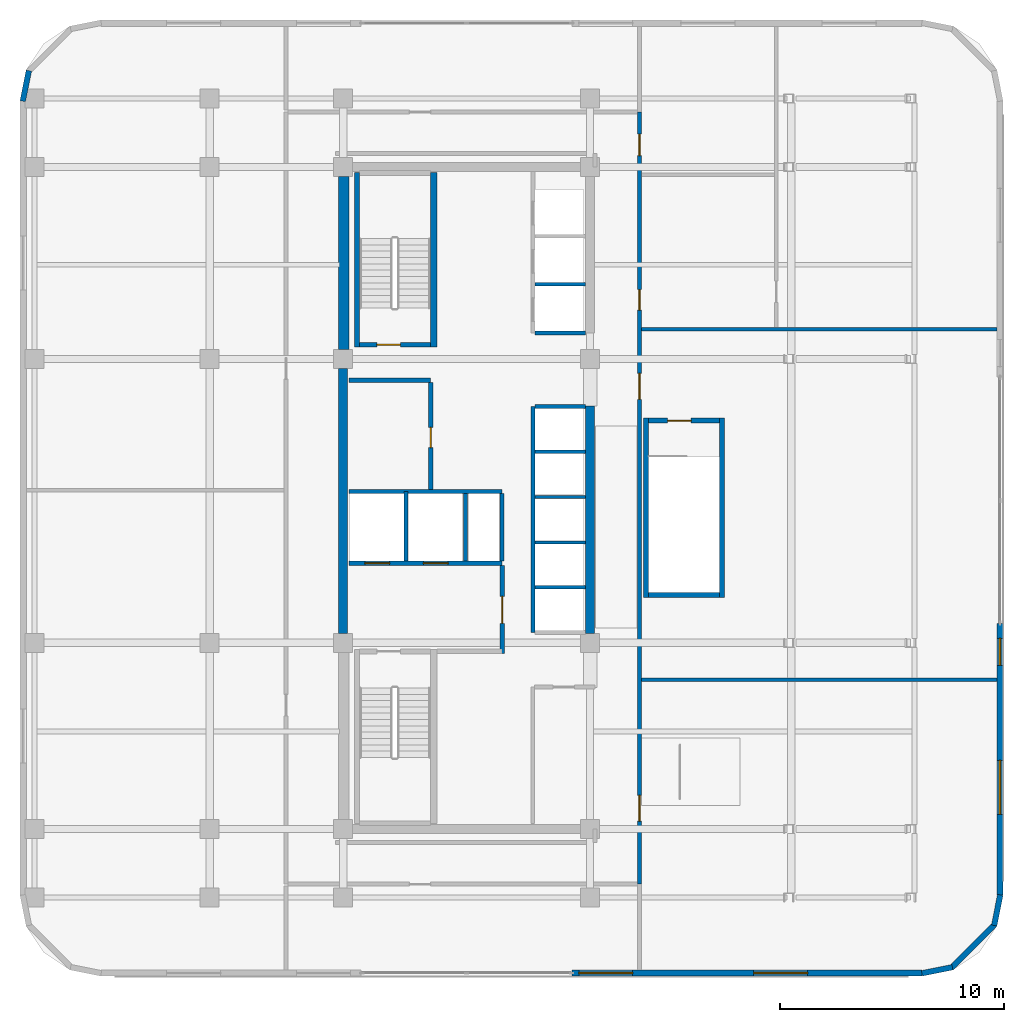
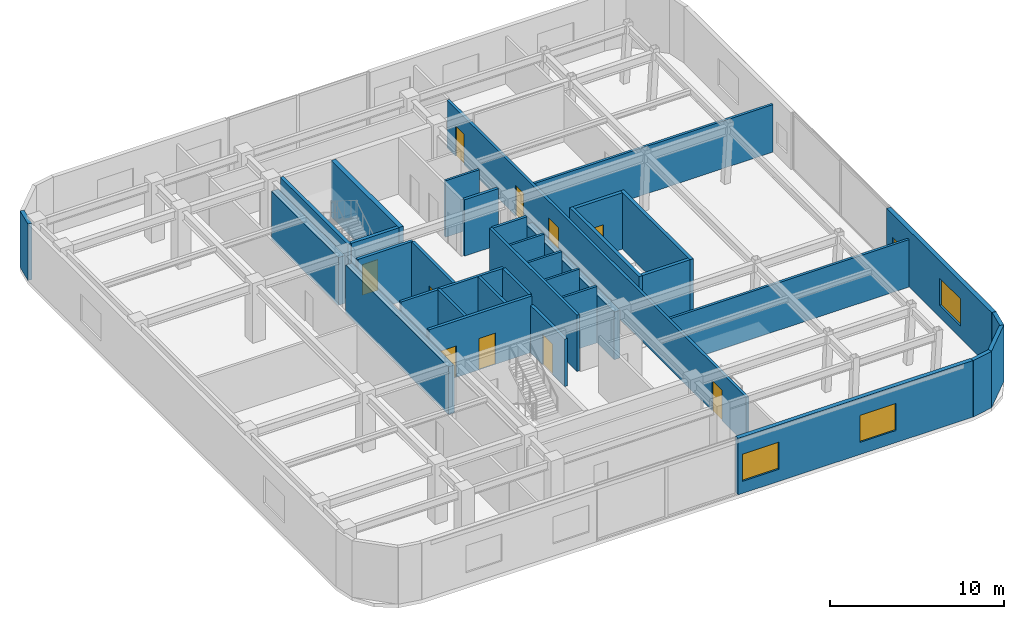
# One storey, part 7 of 12: 35 walls, 10 doors, 4 windows, 14 openings.
"""IFC4 building model written with IfcOpenShell, lengths in metres."""

from ifc_helpers import new_model, si_unit, direction, frame, frame_2d, origin, place, context, subcontext, project, spatial, rectangle, extrude, material, layer, layer_set, type_object, element, fill, save


model = new_model("IFC4")

# Units and contexts
model_context = context("Model", 3, precision=1e-05, world=origin(), true_north=direction((0.0, 1.0)))
body_context = subcontext(model_context, "Body", "Model", "MODEL_VIEW")
ifc_project = project(units=[si_unit("LENGTHUNIT", "METRE"), si_unit("AREAUNIT", "SQUARE_METRE"), si_unit("VOLUMEUNIT", "CUBIC_METRE"), si_unit("PLANEANGLEUNIT", "RADIAN"), si_unit("MASSUNIT", "GRAM", prefix="KILO")], contexts=[model_context])

# Site, building, storey
site_placement = place(None, origin())
site = spatial("IfcSite", under=ifc_project, at=site_placement, CompositionType="ELEMENT")
building_placement = place(site_placement, origin())
building = spatial("IfcBuilding", under=site, at=building_placement, Name="Ochreholt Gables", CompositionType="ELEMENT")
storey_placement = place(building_placement, frame((0.0, 0.0, 117.0)))
storey = spatial("IfcBuildingStorey", under=building, at=storey_placement, Name="L30", CompositionType="ELEMENT", Elevation=117.0)

# Walls
ifc_material_1 = material(Name="Concrete 60 MPa", Category="concrete")
ifc_layer_1 = layer(ifc_material_1, 0.39990234375, Name="Concrete 60 MPa")
ifc_layer_set_1 = layer_set([ifc_layer_1], Name="Concrete 60 MPa")
wall_type_1 = type_object("IfcWallType", Name="WALL-CSW-400", PredefinedType="SHEAR", material=ifc_layer_set_1)
wall_1_placement = place(storey_placement, frame((24.199951171875, 17.97509765625, 0.0), z_axis=(0.0, 0.0, 1.0), x_axis=(0.0, 1.0, 0.0)))
element("IfcWall", 1, at=wall_1_placement, inside=storey, type_object=wall_type_1, Name="L30 Core West Shear Wall WM", PredefinedType="SHEAR", context=body_context, shape_type="SweptSolid", body=[
    extrude(rectangle(XDim=11.7998046875, YDim=0.39990234375, at=frame_2d((5.89990234375, 0.0))), origin(), (0.0, 0.0, 1.0), 3.34912109375),
])
wall_2_placement = place(storey_placement, frame((35.199951171875, 17.97509765625, 0.0), z_axis=(0.0, 0.0, 1.0), x_axis=(0.0, 1.0, 0.0)))
element("IfcWall", 2, at=wall_2_placement, inside=storey, type_object=wall_type_1, Name="L30 Core Central-East Shear Wall", PredefinedType="SHEAR", context=body_context, shape_type="SweptSolid", body=[
    extrude(rectangle(XDim=10.125, YDim=0.39990234375, at=frame_2d((5.0625, 0.0))), origin(), (0.0, 0.0, 1.0), 3.34912109375),
])
ifc_layer_2 = layer(ifc_material_1, 0.449951171875, Name="Concrete 60 MPa")
ifc_layer_set_2 = layer_set([ifc_layer_2], Name="Concrete 60 MPa")
wall_type_2 = type_object("IfcWallType", Name="WALL-CSW-450", PredefinedType="SHEAR", material=ifc_layer_set_2)
wall_3_placement = place(storey_placement, frame((24.22509765625, 30.625, 0.0), z_axis=(0.0, 0.0, 1.0), x_axis=(0.0, 1.0, 0.0)))
element("IfcWall", 3, at=wall_3_placement, inside=storey, type_object=wall_type_2, Name="L30 Core West Shear Wall WN", PredefinedType="SHEAR", context=body_context, shape_type="SweptSolid", body=[
    extrude(rectangle(XDim=7.699951171875, YDim=0.449951171875, at=frame_2d((3.85009765625, 0.0))), origin(), (0.0, 0.0, 1.0), 3.34912109375),
])

# Wall, openings, windows
ifc_material_2 = material(Name="Precast concrete 40 MPa", Category="concrete")
ifc_layer_3 = layer(ifc_material_2, 0.280029296875, Name="Precast concrete 40 MPa")
ifc_layer_set_3 = layer_set([ifc_layer_3], Name="Precast concrete 40 MPa")
wall_type_3 = type_object("IfcWallType", Name="WALL-EXT-280", PredefinedType="SOLIDWALL", material=ifc_layer_set_3)
wall_4_placement = place(storey_placement, frame((34.39990234375, 2.840087890625, 0.0), z_axis=(0.0, 0.0, 1.0), x_axis=(1.0, 0.0, 0.0)))
wall_4 = element("IfcWall", 4, at=wall_4_placement, inside=storey, type_object=wall_type_3, Name="L30 South Facade Wall 2", PredefinedType="SOLIDWALL", context=body_context, shape_type="SweptSolid", body=[
    extrude(rectangle(XDim=15.580078125, YDim=0.280029296875, at=frame_2d((7.7900390625, 0.0))), origin(), (0.0, 0.0, 1.0), 3.9599609375),
])
opening_1_placement = place(wall_4_placement, frame((0.300048828125, 0.0, 0.85009765625)))
opening_1 = element("IfcOpeningElement", 5, at=opening_1_placement, cuts=wall_4, Name="Opening WN-5", PredefinedType="OPENING", context=body_context, shape_type="SweptSolid", body=[
    extrude(rectangle(XDim=2.39990234375, YDim=1.89990234375, at=frame_2d((1.199951171875, 0.949951171875))), frame((0.0, 0.14990234375, 0.0), z_axis=(0.0, -1.0, 0.0), x_axis=(1.0, 0.0, 0.0)), (0.0, 0.0, 1.0), 0.300048828125),
])
opening_2_placement = place(wall_4_placement, frame((8.090087890625, 0.0, 0.85009765625)))
opening_2 = element("IfcOpeningElement", 6, at=opening_2_placement, cuts=wall_4, Name="Opening WN-5", PredefinedType="OPENING", context=body_context, shape_type="SweptSolid", body=[
    extrude(rectangle(XDim=2.39990234375, YDim=1.89990234375, at=frame_2d((1.199951171875, 0.949951171875))), frame((0.0, 0.14990234375, 0.0), z_axis=(0.0, -1.0, 0.0), x_axis=(1.0, 0.0, 0.0)), (0.0, 0.0, 1.0), 0.300048828125),
])
ifc_material_3 = material(Name="Triple-Glazed Thermally Broken Aluminium Window", Category="aluminium")
window_type_1 = type_object("IfcWindowType", Name="WIN-COM-2400", PartitioningType="SINGLE_PANEL", PredefinedType="WINDOW", material=ifc_material_3)
window_1_placement = place(opening_1_placement, origin())
window_1 = element("IfcWindow", 7, at=window_1_placement, inside=storey, type_object=window_type_1, Name="L30 Window W-EXT-S2-L30-1", OverallHeight=1.89990234375, OverallWidth=2.39990234375, PartitioningType="SINGLE_PANEL", PredefinedType="WINDOW", context=body_context, shape_type="SweptSolid", body=[
    extrude(rectangle(XDim=2.39990234375, YDim=1.89990234375, at=frame_2d((1.199951171875, 0.949951171875))), frame((0.0, 0.030029296875, 0.0), z_axis=(0.0, -1.0, 0.0), x_axis=(1.0, 0.0, 0.0)), (0.0, 0.0, 1.0), 0.06005859375),
])
fill(opening_1, window_1)
window_2_placement = place(opening_2_placement, origin())
window_2 = element("IfcWindow", 8, at=window_2_placement, inside=storey, type_object=window_type_1, Name="L30 Window W-EXT-S2-L30-2", OverallHeight=1.89990234375, OverallWidth=2.39990234375, PartitioningType="SINGLE_PANEL", PredefinedType="WINDOW", context=body_context, shape_type="SweptSolid", body=[
    extrude(rectangle(XDim=2.39990234375, YDim=1.89990234375, at=frame_2d((1.199951171875, 0.949951171875))), frame((0.0, 0.030029296875, 0.0), z_axis=(0.0, -1.0, 0.0), x_axis=(1.0, 0.0, 0.0)), (0.0, 0.0, 1.0), 0.06005859375),
])
fill(opening_2, window_2)

wall_5_placement = place(storey_placement, frame((53.4599609375, 6.320068359375, 0.0), z_axis=(0.0, 0.0, 1.0), x_axis=(0.0, 1.0, 0.0)))
wall_5 = element("IfcWall", 9, at=wall_5_placement, inside=storey, type_object=wall_type_3, Name="L30 East Facade Wall 1", PredefinedType="SOLIDWALL", context=body_context, shape_type="SweptSolid", body=[
    extrude(rectangle(XDim=12.079833984375, YDim=0.280029296875, at=frame_2d((6.0400390625, 0.0))), origin(), (0.0, 0.0, 1.0), 3.9599609375),
])
opening_3_placement = place(wall_5_placement, frame((3.590087890625, 0.0, 0.85009765625)))
opening_3 = element("IfcOpeningElement", 10, at=opening_3_placement, cuts=wall_5, Name="Opening WN-5", PredefinedType="OPENING", context=body_context, shape_type="SweptSolid", body=[
    extrude(rectangle(XDim=2.39990234375, YDim=1.89990234375, at=frame_2d((1.199951171875, 0.949951171875))), frame((0.0, 0.14990234375, 0.0), z_axis=(0.0, -1.0, 0.0), x_axis=(1.0, 0.0, 0.0)), (0.0, 0.0, 1.0), 0.300048828125),
])
opening_4_placement = place(wall_5_placement, frame((10.22998046875, 0.0, 0.85009765625)))
opening_4 = element("IfcOpeningElement", 11, at=opening_4_placement, cuts=wall_5, Name="Opening WN-3", PredefinedType="OPENING", context=body_context, shape_type="SweptSolid", body=[
    extrude(rectangle(XDim=1.199951171875, YDim=1.5, at=frame_2d((0.60009765625, 0.75))), frame((0.0, 0.14990234375, 0.0), z_axis=(0.0, -1.0, 0.0), x_axis=(1.0, 0.0, 0.0)), (0.0, 0.0, 1.0), 0.300048828125),
])
window_3_placement = place(opening_3_placement, origin())
window_3 = element("IfcWindow", 12, at=window_3_placement, inside=storey, type_object=window_type_1, Name="L30 Window W-EXT-E1-L30-1", OverallHeight=1.89990234375, OverallWidth=2.39990234375, PartitioningType="SINGLE_PANEL", PredefinedType="WINDOW", context=body_context, shape_type="SweptSolid", body=[
    extrude(rectangle(XDim=2.39990234375, YDim=1.89990234375, at=frame_2d((1.199951171875, 0.949951171875))), frame((0.0, 0.030029296875, 0.0), z_axis=(0.0, -1.0, 0.0), x_axis=(1.0, 0.0, 0.0)), (0.0, 0.0, 1.0), 0.06005859375),
])
fill(opening_3, window_3)
window_type_2 = type_object("IfcWindowType", Name="WIN-RES-1200", PartitioningType="SINGLE_PANEL", PredefinedType="WINDOW", material=ifc_material_3)
window_4_placement = place(opening_4_placement, origin())
window_4 = element("IfcWindow", 13, at=window_4_placement, inside=storey, type_object=window_type_2, Name="L30 Window W-EXT-E1-L30-2", OverallHeight=1.5, OverallWidth=1.199951171875, PartitioningType="SINGLE_PANEL", PredefinedType="WINDOW", context=body_context, shape_type="SweptSolid", body=[
    extrude(rectangle(XDim=1.199951171875, YDim=1.5, at=frame_2d((0.60009765625, 0.75))), frame((0.0, 0.030029296875, 0.0), z_axis=(0.0, -1.0, 0.0), x_axis=(1.0, 0.0, 0.0)), (0.0, 0.0, 1.0), 0.06005859375),
])
fill(opening_4, window_4)

# Walls
ifc_layer_4 = layer(ifc_material_2, 0.25, Name="Precast concrete 40 MPa")
ifc_layer_set_4 = layer_set([ifc_layer_4], Name="Precast concrete 40 MPa")
wall_type_4 = type_object("IfcWallType", Name="WALL-EXT-CNR", PredefinedType="SOLIDWALL", material=ifc_layer_set_4)
wall_6_placement = place(storey_placement, frame((49.9833984375, 2.82421875, 0.0), z_axis=(0.0, 0.0, 1.0), x_axis=(0.980809899341, 0.19496651342, 0.0)))
element("IfcWall", 14, at=wall_6_placement, inside=storey, type_object=wall_type_4, Name="L30 Rounded Corner Wall SE-1", PredefinedType="SOLIDWALL", context=body_context, shape_type="SweptSolid", body=[
    extrude(rectangle(XDim=1.388671875, YDim=0.25, at=frame_2d((0.6943359375, 0.0))), origin(), (0.0, 0.0, 1.0), 3.9599609375),
])
wall_7_placement = place(storey_placement, frame((51.294921875, 3.068115234375, 0.0), z_axis=(0.0, 0.0, 1.0), x_axis=(0.707151344399, 0.707062215165, 0.0)))
element("IfcWall", 15, at=wall_7_placement, inside=storey, type_object=wall_type_4, Name="L30 Rounded Corner Wall SE-2", PredefinedType="SOLIDWALL", context=body_context, shape_type="SweptSolid", body=[
    extrude(rectangle(XDim=2.7392578125, YDim=0.25, at=frame_2d((1.36962890625, 0.0))), origin(), (0.0, 0.0, 1.0), 3.9599609375),
])
for number, where, z_axis, x_axis, name in (
    (16, (53.205078125, 4.95458984375, 0.0), (0.0, 0.0, 1.0), (0.195000137217, 0.980803214965, 0.0), "L30 Rounded Corner Wall SE-3"),
    (17, (10.195068359375, 43.04541015625, 0.0), (0.0, 0.0, 1.0), (-0.195000137217, -0.980803214965, 0.0), "L30 Rounded Corner Wall NW-3"),
):
    element("IfcWall", number, at=place(storey_placement, frame(where, z_axis=z_axis, x_axis=x_axis)), inside=storey, type_object=wall_type_4, Name=name, PredefinedType="SOLIDWALL", context=body_context, shape_type="SweptSolid", body=[
        extrude(rectangle(XDim=1.388427734375, YDim=0.25, at=frame_2d((0.6943359375, 0.0))), origin(), (0.0, 0.0, 1.0), 3.9599609375),
    ])

# Wall, openings, doors
ifc_material_4 = material(Name="Concrete 40 MPa", Category="concrete")
ifc_layer_5 = layer(ifc_material_4, 0.199951171875, Name="Concrete 40 MPa")
ifc_layer_set_5 = layer_set([ifc_layer_5], Name="Concrete 40 MPa")
wall_type_5 = type_object("IfcWallType", Name="WALL-INT-CF200", PredefinedType="STANDARD", material=ifc_layer_set_5)
wall_8_placement = place(storey_placement, frame((24.449951171875, 21.090087890625, 0.0), z_axis=(0.0, 0.0, 1.0), x_axis=(1.0, 0.0, 0.0)))
wall_8 = element("IfcWall", 18, at=wall_8_placement, inside=storey, type_object=wall_type_5, Name="L30 Interior Wall WI-FFN-L30", PredefinedType="STANDARD", context=body_context, shape_type="SweptSolid", body=[
    extrude(rectangle(XDim=6.830078125, YDim=0.199951171875, at=frame_2d((3.4150390625, 0.0))), origin(), (0.0, 0.0, 1.0), 3.9599609375),
])
opening_5_placement = place(wall_8_placement, frame((0.719970703125, 0.0, 0.0)))
opening_5 = element("IfcOpeningElement", 19, at=opening_5_placement, cuts=wall_8, Name="Opening LD-FF", PredefinedType="OPENING", context=body_context, shape_type="SweptSolid", body=[
    extrude(rectangle(XDim=1.10009765625, YDim=2.199951171875, at=frame_2d((0.550048828125, 1.10009765625))), frame((0.0, 0.10986328125, 0.0), z_axis=(0.0, -1.0, 0.0), x_axis=(1.0, 0.0, 0.0)), (0.0, 0.0, 1.0), 0.219970703125),
])
opening_6_placement = place(wall_8_placement, frame((3.320068359375, 0.0, 0.0)))
opening_6 = element("IfcOpeningElement", 20, at=opening_6_placement, cuts=wall_8, Name="Opening LD-FF", PredefinedType="OPENING", context=body_context, shape_type="SweptSolid", body=[
    extrude(rectangle(XDim=1.10009765625, YDim=2.199951171875, at=frame_2d((0.550048828125, 1.10009765625))), frame((0.0, 0.10986328125, 0.0), z_axis=(0.0, -1.0, 0.0), x_axis=(1.0, 0.0, 0.0)), (0.0, 0.0, 1.0), 0.219970703125),
])
ifc_material_5 = material(Name="Stainless Steel", Category="steel")
door_type_1 = type_object("IfcDoorType", Name="DR-LFT-FF1100", OperationType="NOTDEFINED", PredefinedType="DOOR", material=ifc_material_5)
door_1_placement = place(opening_5_placement, origin())
door_1 = element("IfcDoor", 21, at=door_1_placement, inside=storey, type_object=door_type_1, Name="L30 Door LD-FF1-L30", OperationType="SLIDING_TO_LEFT", OverallHeight=2.199951171875, OverallWidth=1.10009765625, PredefinedType="DOOR", context=body_context, shape_type="SweptSolid", body=[
    extrude(rectangle(XDim=1.10009765625, YDim=2.199951171875, at=frame_2d((0.550048828125, 1.10009765625))), frame((0.0, 0.02490234375, 0.0), z_axis=(0.0, -1.0, 0.0), x_axis=(1.0, 0.0, 0.0)), (0.0, 0.0, 1.0), 0.050048828125),
])
fill(opening_5, door_1)
door_2_placement = place(opening_6_placement, origin())
door_2 = element("IfcDoor", 22, at=door_2_placement, inside=storey, type_object=door_type_1, Name="L30 Door LD-FF2-L30", OperationType="SLIDING_TO_LEFT", OverallHeight=2.199951171875, OverallWidth=1.10009765625, PredefinedType="DOOR", context=body_context, shape_type="SweptSolid", body=[
    extrude(rectangle(XDim=1.10009765625, YDim=2.199951171875, at=frame_2d((0.550048828125, 1.10009765625))), frame((0.0, 0.02490234375, 0.0), z_axis=(0.0, -1.0, 0.0), x_axis=(1.0, 0.0, 0.0)), (0.0, 0.0, 1.0), 0.050048828125),
])
fill(opening_6, door_2)

# Wall, opening, door
wall_9_placement = place(storey_placement, frame((31.280029296875, 17.070068359375, 0.0), z_axis=(0.0, 0.0, 1.0), x_axis=(0.0, 1.0, 0.0)))
wall_9 = element("IfcWall", 23, at=wall_9_placement, inside=storey, type_object=wall_type_5, Name="L30 Interior Wall WI-FFE-L30", PredefinedType="STANDARD", context=body_context, shape_type="SweptSolid", body=[
    extrude(rectangle(XDim=3.919921875, YDim=0.199951171875, at=frame_2d((1.9599609375, 0.0))), origin(), (0.0, 0.0, 1.0), 3.3310546875),
])
opening_7_placement = place(wall_9_placement, frame((1.35009765625, 0.0, 0.0)))
opening_7 = element("IfcOpeningElement", 24, at=opening_7_placement, cuts=wall_9, Name="Opening D-FFL", PredefinedType="OPENING", context=body_context, shape_type="SweptSolid", body=[
    extrude(rectangle(XDim=1.199951171875, YDim=2.14990234375, at=frame_2d((0.60009765625, 1.074951171875))), frame((0.0, 0.10986328125, 0.0), z_axis=(0.0, -1.0, 0.0), x_axis=(1.0, 0.0, 0.0)), (0.0, 0.0, 1.0), 0.219970703125),
])
ifc_material_6 = material(Name="Hollow Metal Steel", Category="steel")
door_type_2 = type_object("IfcDoorType", Name="DR-INT-FFL1200", OperationType="NOTDEFINED", PredefinedType="DOOR", material=ifc_material_6)
door_3_placement = place(opening_7_placement, origin())
door_3 = element("IfcDoor", 25, at=door_3_placement, inside=storey, type_object=door_type_2, Name="L30 Door D-FFL-L30", OperationType="SINGLE_SWING_LEFT", OverallHeight=2.14990234375, OverallWidth=1.199951171875, PredefinedType="DOOR", context=body_context, shape_type="SweptSolid", body=[
    extrude(rectangle(XDim=1.199951171875, YDim=2.14990234375, at=frame_2d((0.60009765625, 1.074951171875))), frame((0.0, 0.02490234375, 0.0), z_axis=(0.0, -1.0, 0.0), x_axis=(1.0, 0.0, 0.0)), (0.0, 0.0, 1.0), 0.050048828125),
])
fill(opening_7, door_3)

# Wall
wall_10_placement = place(storey_placement, frame((24.449951171875, 29.239990234375, 0.0), z_axis=(0.0, 0.0, 1.0), x_axis=(1.0, 0.0, 0.0)))
element("IfcWall", 26, at=wall_10_placement, inside=storey, type_object=wall_type_5, Name="L30 Interior Wall WI-SRVN-L30", PredefinedType="STANDARD", context=body_context, shape_type="SweptSolid", body=[
    extrude(rectangle(XDim=3.650146484375, YDim=0.199951171875, at=frame_2d((1.8251953125, 0.0))), origin(), (0.0, 0.0, 1.0), 3.9599609375),
])

# Wall, opening, door
wall_11_placement = place(storey_placement, frame((28.10009765625, 24.389892578125, 0.0), z_axis=(0.0, 0.0, 1.0), x_axis=(0.0, 1.0, 0.0)))
wall_11 = element("IfcWall", 27, at=wall_11_placement, inside=storey, type_object=wall_type_5, Name="L30 Interior Wall WI-SRVE-L30", PredefinedType="STANDARD", context=body_context, shape_type="SweptSolid", body=[
    extrude(rectangle(XDim=4.75, YDim=0.199951171875, at=frame_2d((2.375, 0.0))), origin(), (0.0, 0.0, 1.0), 3.9599609375),
])
opening_8_placement = place(wall_11_placement, frame((1.860107421875, 0.0, 0.0)))
opening_8 = element("IfcOpeningElement", 28, at=opening_8_placement, cuts=wall_11, Name="Opening D-SV1", PredefinedType="OPENING", context=body_context, shape_type="SweptSolid", body=[
    extrude(rectangle(XDim=0.89990234375, YDim=2.10009765625, at=frame_2d((0.449951171875, 1.050048828125))), frame((0.0, 0.10986328125, 0.0), z_axis=(0.0, -1.0, 0.0), x_axis=(1.0, 0.0, 0.0)), (0.0, 0.0, 1.0), 0.219970703125),
])
door_type_3 = type_object("IfcDoorType", Name="DR-INT-SRV900", OperationType="NOTDEFINED", PredefinedType="DOOR", material=ifc_material_6)
door_4_placement = place(opening_8_placement, origin())
door_4 = element("IfcDoor", 29, at=door_4_placement, inside=storey, type_object=door_type_3, Name="L30 Door D-SRV1-L30", OperationType="SINGLE_SWING_LEFT", OverallHeight=2.10009765625, OverallWidth=0.89990234375, PredefinedType="DOOR", context=body_context, shape_type="SweptSolid", body=[
    extrude(rectangle(XDim=0.89990234375, YDim=2.10009765625, at=frame_2d((0.449951171875, 1.050048828125))), frame((0.0, 0.02490234375, 0.0), z_axis=(0.0, -1.0, 0.0), x_axis=(1.0, 0.0, 0.0)), (0.0, 0.0, 1.0), 0.050048828125),
])
fill(opening_8, door_4)

# Wall, openings, doors
ifc_material_7 = material(Name="Fire-Rated Gypsum Acoustic Partition", Category="gypsum")
ifc_layer_6 = layer(ifc_material_7, 0.179931640625, Name="Fire-Rated Gypsum Acoustic Partition")
ifc_layer_set_6 = layer_set([ifc_layer_6], Name="Fire-Rated Gypsum Acoustic Partition")
wall_type_6 = type_object("IfcWallType", Name="WALL-INT-CR180", PredefinedType="STANDARD", material=ifc_layer_set_6)
wall_12_placement = place(storey_placement, frame((37.39990234375, 6.800048828125, 0.0), z_axis=(0.0, 0.0, 1.0), x_axis=(0.0, 1.0, 0.0)))
wall_12 = element("IfcWall", 30, at=wall_12_placement, inside=storey, type_object=wall_type_6, Name="L30 Interior Wall WI-CMCE-L30", PredefinedType="STANDARD", context=body_context, shape_type="SweptSolid", body=[
    extrude(rectangle(XDim=34.39990234375, YDim=0.179931640625, at=frame_2d((17.199951171875, 0.0))), origin(), (0.0, 0.0, 1.0), 3.3310546875),
])
opening_9_placement = place(wall_12_placement, frame((25.570068359375, 0.0, 0.0)))
opening_9 = element("IfcOpeningElement", 31, at=opening_9_placement, cuts=wall_12, Name="Opening D-WC1", PredefinedType="OPENING", context=body_context, shape_type="SweptSolid", body=[
    extrude(rectangle(XDim=0.919921875, YDim=2.139892578125, at=frame_2d((0.4599609375, 1.06982421875))), frame((0.0, 0.099853515625, 0.0), z_axis=(0.0, -1.0, 0.0), x_axis=(1.0, 0.0, 0.0)), (0.0, 0.0, 1.0), 0.199951171875),
])
opening_10_placement = place(wall_12_placement, frame((32.4599609375, 0.0, 0.0)))
opening_10 = element("IfcOpeningElement", 32, at=opening_10_placement, cuts=wall_12, Name="Opening D-WC2", PredefinedType="OPENING", context=body_context, shape_type="SweptSolid", body=[
    extrude(rectangle(XDim=0.949951171875, YDim=2.139892578125, at=frame_2d((0.47509765625, 1.06982421875))), frame((0.0, 0.099853515625, 0.0), z_axis=(0.0, -1.0, 0.0), x_axis=(1.0, 0.0, 0.0)), (0.0, 0.0, 1.0), 0.199951171875),
])
opening_11_placement = place(wall_12_placement, frame((2.800048828125, 0.0, 0.0)))
opening_11 = element("IfcOpeningElement", 33, at=opening_11_placement, cuts=wall_12, Name="Opening D-CM1", PredefinedType="OPENING", context=body_context, shape_type="SweptSolid", body=[
    extrude(rectangle(XDim=1.14990234375, YDim=2.14990234375, at=frame_2d((0.574951171875, 1.074951171875))), frame((0.0, 0.099853515625, 0.0), z_axis=(0.0, -1.0, 0.0), x_axis=(1.0, 0.0, 0.0)), (0.0, 0.0, 1.0), 0.199951171875),
])
opening_12_placement = place(wall_12_placement, frame((21.60009765625, 0.0, 0.0)))
opening_12 = element("IfcOpeningElement", 34, at=opening_12_placement, cuts=wall_12, Name="Opening D-CM1", PredefinedType="OPENING", context=body_context, shape_type="SweptSolid", body=[
    extrude(rectangle(XDim=1.14990234375, YDim=2.14990234375, at=frame_2d((0.574951171875, 1.074951171875))), frame((0.0, 0.099853515625, 0.0), z_axis=(0.0, -1.0, 0.0), x_axis=(1.0, 0.0, 0.0)), (0.0, 0.0, 1.0), 0.199951171875),
])
ifc_material_8 = material(Name="Engineered Oak Timber", Category="wood")
door_type_4 = type_object("IfcDoorType", Name="DR-INT-COM1150", OperationType="NOTDEFINED", PredefinedType="DOOR", material=ifc_material_8)
door_5_placement = place(opening_11_placement, origin())
door_5 = element("IfcDoor", 35, at=door_5_placement, inside=storey, type_object=door_type_4, Name="L30 Door D-CMS-L30", OperationType="SINGLE_SWING_LEFT", OverallHeight=2.14990234375, OverallWidth=1.14990234375, PredefinedType="DOOR", context=body_context, shape_type="SweptSolid", body=[
    extrude(rectangle(XDim=1.14990234375, YDim=2.14990234375, at=frame_2d((0.574951171875, 1.074951171875))), frame((0.0, 0.02490234375, 0.0), z_axis=(0.0, -1.0, 0.0), x_axis=(1.0, 0.0, 0.0)), (0.0, 0.0, 1.0), 0.050048828125),
])
fill(opening_11, door_5)
door_6_placement = place(opening_12_placement, origin())
door_6 = element("IfcDoor", 36, at=door_6_placement, inside=storey, type_object=door_type_4, Name="L30 Door D-CMM-L30", OperationType="SINGLE_SWING_RIGHT", OverallHeight=2.14990234375, OverallWidth=1.14990234375, PredefinedType="DOOR", context=body_context, shape_type="SweptSolid", body=[
    extrude(rectangle(XDim=1.14990234375, YDim=2.14990234375, at=frame_2d((0.574951171875, 1.074951171875))), frame((0.0, 0.02490234375, 0.0), z_axis=(0.0, -1.0, 0.0), x_axis=(1.0, 0.0, 0.0)), (0.0, 0.0, 1.0), 0.050048828125),
])
fill(opening_12, door_6)
door_type_5 = type_object("IfcDoorType", Name="DR-INT-WC920", OperationType="NOTDEFINED", PredefinedType="DOOR", material=ifc_material_8)
door_7_placement = place(opening_9_placement, origin())
door_7 = element("IfcDoor", 37, at=door_7_placement, inside=storey, type_object=door_type_5, Name="L30 Door D-CMWC1-L30", OperationType="SINGLE_SWING_LEFT", OverallHeight=2.139892578125, OverallWidth=0.919921875, PredefinedType="DOOR", context=body_context, shape_type="SweptSolid", body=[
    extrude(rectangle(XDim=0.919921875, YDim=2.139892578125, at=frame_2d((0.4599609375, 1.06982421875))), frame((0.0, 0.02490234375, 0.0), z_axis=(0.0, -1.0, 0.0), x_axis=(1.0, 0.0, 0.0)), (0.0, 0.0, 1.0), 0.050048828125),
])
fill(opening_9, door_7)
door_type_6 = type_object("IfcDoorType", Name="DR-INT-WC950", OperationType="NOTDEFINED", PredefinedType="DOOR", material=ifc_material_8)
door_8_placement = place(opening_10_placement, origin())
door_8 = element("IfcDoor", 38, at=door_8_placement, inside=storey, type_object=door_type_6, Name="L30 Door D-CMWC2-L30", OperationType="SINGLE_SWING_RIGHT", OverallHeight=2.139892578125, OverallWidth=0.949951171875, PredefinedType="DOOR", context=body_context, shape_type="SweptSolid", body=[
    extrude(rectangle(XDim=0.949951171875, YDim=2.139892578125, at=frame_2d((0.47509765625, 1.06982421875))), frame((0.0, 0.02490234375, 0.0), z_axis=(0.0, -1.0, 0.0), x_axis=(1.0, 0.0, 0.0)), (0.0, 0.0, 1.0), 0.050048828125),
])
fill(opening_10, door_8)

# Walls
ifc_material_9 = material(Name="Gypsum Acoustic Stud Partition", Category="gypsum")
ifc_layer_7 = layer(ifc_material_9, 0.1650390625, Name="Gypsum Acoustic Stud Partition")
ifc_layer_set_7 = layer_set([ifc_layer_7], Name="Gypsum Acoustic Stud Partition")
wall_type_7 = type_object("IfcWallType", Name="WALL-INT-PT165", PredefinedType="PARTITIONING", material=ifc_layer_set_7)
for number, where, z_axis, x_axis, name in (
    (39, (37.489990234375, 15.89990234375, 0.0), (0.0, 0.0, 1.0), (1.0, 0.0, 0.0), "L30 Interior Wall WI-CME1-L30"),
    (40, (37.489990234375, 31.52001953125, 0.0), (0.0, 0.0, 1.0), (1.0, 0.0, 0.0), "L30 Interior Wall WI-CME2-L30"),
):
    element("IfcWall", number, at=place(storey_placement, frame(where, z_axis=z_axis, x_axis=x_axis)), inside=storey, type_object=wall_type_7, Name=name, PredefinedType="PARTITIONING", context=body_context, shape_type="SweptSolid", body=[
        extrude(rectangle(XDim=15.830078125, YDim=0.1650390625, at=frame_2d((7.9150390625, 0.0))), origin(), (0.0, 0.0, 1.0), 3.3310546875),
    ])
ifc_material_10 = material(Name="Gypsum Shaftliner and Steel Stud", Category="steel")
ifc_layer_8 = layer(ifc_material_10, 0.14990234375, Name="Gypsum Shaftliner and Steel Stud")
ifc_layer_set_8 = layer_set([ifc_layer_8], Name="Gypsum Shaftliner and Steel Stud")
wall_type_8 = type_object("IfcWallType", Name="WALL-INT-SH150", PredefinedType="STANDARD", material=ifc_layer_set_8)
for number, where, z_axis, x_axis, name in (
    (41, (32.739990234375, 20.02001953125, 0.0), (0.0, 0.0, 1.0), (1.0, 0.0, 0.0), "L30 Interior Wall WI-LFHE-DH1-L30"),
    (42, (32.739990234375, 22.02001953125, 0.0), (0.0, 0.0, 1.0), (1.0, 0.0, 0.0), "L30 Interior Wall WI-LFHE-DH2-L30"),
    (43, (32.739990234375, 24.050048828125, 0.0), (0.0, 0.0, 1.0), (1.0, 0.0, 0.0), "L30 Interior Wall WI-LFHE-DHE-L30"),
    (44, (32.739990234375, 26.070068359375, 0.0), (0.0, 0.0, 1.0), (1.0, 0.0, 0.0), "L30 Interior Wall WI-LFHE-DEX1-L30"),
    (45, (32.739990234375, 33.52001953125, 0.0), (0.0, 0.0, 1.0), (1.0, 0.0, 0.0), "L30 Interior Wall WI-LFM-D1-L30"),
):
    element("IfcWall", number, at=place(storey_placement, frame(where, z_axis=z_axis, x_axis=x_axis)), inside=storey, type_object=wall_type_8, Name=name, PredefinedType="STANDARD", context=body_context, shape_type="SweptSolid", body=[
        extrude(rectangle(XDim=2.260009765625, YDim=0.14990234375, at=frame_2d((1.1298828125, 0.0))), origin(), (0.0, 0.0, 1.0), 3.9599609375),
    ])
ifc_layer_9 = layer(ifc_material_10, 0.179931640625, Name="Gypsum Shaftliner and Steel Stud")
ifc_layer_set_9 = layer_set([ifc_layer_9], Name="Gypsum Shaftliner and Steel Stud")
wall_type_9 = type_object("IfcWallType", Name="WALL-INT-SH180", PredefinedType="STANDARD", material=ifc_layer_set_9)
wall_13_placement = place(storey_placement, frame((27.0, 21.18994140625, 0.0), z_axis=(0.0, 0.0, 1.0), x_axis=(0.0, 1.0, 0.0)))
element("IfcWall", 46, at=wall_13_placement, inside=storey, type_object=wall_type_9, Name="L30 Interior Wall WI-FFDIV-L30", PredefinedType="STANDARD", context=body_context, shape_type="SweptSolid", body=[
    extrude(rectangle(XDim=3.110107421875, YDim=0.179931640625, at=frame_2d((1.55517578125, 0.0))), origin(), (0.0, 0.0, 1.0), 3.9599609375),
])
wall_14_placement = place(storey_placement, frame((24.449951171875, 24.300048828125, 0.0), z_axis=(0.0, 0.0, 1.0), x_axis=(1.0, 0.0, 0.0)))
element("IfcWall", 47, at=wall_14_placement, inside=storey, type_object=wall_type_9, Name="L30 Interior Wall WI-FFBK-L30", PredefinedType="STANDARD", context=body_context, shape_type="SweptSolid", body=[
    extrude(rectangle(XDim=6.830078125, YDim=0.179931640625, at=frame_2d((3.4150390625, 0.0))), origin(), (0.0, 0.0, 1.0), 3.9599609375),
])
for number, where, z_axis, x_axis, name in (
    (48, (29.64990234375, 21.18994140625, 0.0), (0.0, 0.0, 1.0), (0.0, 1.0, 0.0), "L30 Interior Wall WI-FFSH-L30"),
    (49, (31.280029296875, 21.18994140625, 0.0), (0.0, 0.0, 1.0), (0.0, 1.0, 0.0), "L30 Interior Wall WI-RSE-L30"),
):
    element("IfcWall", number, at=place(storey_placement, frame(where, z_axis=z_axis, x_axis=x_axis)), inside=storey, type_object=wall_type_9, Name=name, PredefinedType="STANDARD", context=body_context, shape_type="SweptSolid", body=[
        extrude(rectangle(XDim=3.02001953125, YDim=0.179931640625, at=frame_2d((1.510009765625, 0.0))), origin(), (0.0, 0.0, 1.0), 3.9599609375),
    ])
wall_15_placement = place(storey_placement, frame((32.64990234375, 18.02001953125, 0.0), z_axis=(0.0, 0.0, 1.0), x_axis=(0.0, 1.0, 0.0)))
element("IfcWall", 50, at=wall_15_placement, inside=storey, type_object=wall_type_9, Name="L30 Interior Wall WI-LFHE-FR-L30", PredefinedType="STANDARD", context=body_context, shape_type="SweptSolid", body=[
    extrude(rectangle(XDim=10.06005859375, YDim=0.179931640625, at=frame_2d((5.030029296875, 0.0))), origin(), (0.0, 0.0, 1.0), 3.9599609375),
])
for number, where, z_axis, x_axis, name in (
    (51, (32.739990234375, 28.080078125, 0.0), (0.0, 0.0, 1.0), (1.0, 0.0, 0.0), "L30 Interior Wall WI-LFHE-N-L30"),
    (52, (32.739990234375, 31.35009765625, 0.0), (0.0, 0.0, 1.0), (1.0, 0.0, 0.0), "L30 Interior Wall WI-LFM-S-L30"),
):
    element("IfcWall", number, at=place(storey_placement, frame(where, z_axis=z_axis, x_axis=x_axis)), inside=storey, type_object=wall_type_9, Name=name, PredefinedType="STANDARD", context=body_context, shape_type="SweptSolid", body=[
        extrude(rectangle(XDim=2.260009765625, YDim=0.179931640625, at=frame_2d((1.1298828125, 0.0))), origin(), (0.0, 0.0, 1.0), 3.9599609375),
    ])
ifc_layer_10 = layer(ifc_material_1, 0.300048828125, Name="Concrete 60 MPa")
ifc_layer_set_10 = layer_set([ifc_layer_10], Name="Concrete 60 MPa")
wall_type_10 = type_object("IfcWallType", Name="WALL-SPN-300", PredefinedType="SHEAR", material=ifc_layer_set_10)
wall_16_placement = place(storey_placement, frame((28.22998046875, 30.739990234375, 0.0), z_axis=(0.0, 0.0, 1.0), x_axis=(0.0, 1.0, 0.0)))
element("IfcWall", 53, at=wall_16_placement, inside=storey, type_object=wall_type_10, Name="L30 Core North Spine Shear Wall", PredefinedType="SHEAR", context=body_context, shape_type="SweptSolid", body=[
    extrude(rectangle(XDim=7.760009765625, YDim=0.300048828125, at=frame_2d((3.8798828125, 0.0))), origin(), (0.0, 0.0, 1.0), 3.9599609375),
])
ifc_material_11 = material(Name="Concrete 50 MPa", Category="concrete")
ifc_layer_11 = layer(ifc_material_11, 0.219970703125, Name="Concrete 50 MPa")
ifc_layer_set_11 = layer_set([ifc_layer_11], Name="Concrete 50 MPa")
wall_type_11 = type_object("IfcWallType", Name="WALL-STW-220", PredefinedType="SHEAR", material=ifc_layer_set_11)
wall_17_placement = place(storey_placement, frame((24.81005859375, 30.739990234375, 0.0), z_axis=(0.0, 0.0, 1.0), x_axis=(0.0, 1.0, 0.0)))
element("IfcWall", 54, at=wall_17_placement, inside=storey, type_object=wall_type_11, Name="L30 Exit Stair 2 West Wall", PredefinedType="SHEAR", context=body_context, shape_type="SweptSolid", body=[
    extrude(rectangle(XDim=7.760009765625, YDim=0.219970703125, at=frame_2d((3.8798828125, 0.0))), origin(), (0.0, 0.0, 1.0), 3.9599609375),
])

# Wall, opening, door
wall_18_placement = place(storey_placement, frame((24.919921875, 30.830078125, 0.0), z_axis=(0.0, 0.0, 1.0), x_axis=(1.0, 0.0, 0.0)))
wall_18 = element("IfcWall", 55, at=wall_18_placement, inside=storey, type_object=wall_type_11, Name="L30 Exit Stair 2 South Wall", PredefinedType="SHEAR", context=body_context, shape_type="SweptSolid", body=[
    extrude(rectangle(XDim=3.16015625, YDim=0.219970703125, at=frame_2d((1.580078125, 0.0))), origin(), (0.0, 0.0, 1.0), 3.9599609375),
])
opening_13_placement = place(wall_18_placement, frame((0.780029296875, 0.0, 0.0)))
opening_13 = element("IfcOpeningElement", 56, at=opening_13_placement, cuts=wall_18, Name="Opening D-STC", PredefinedType="OPENING", context=body_context, shape_type="SweptSolid", body=[
    extrude(rectangle(XDim=1.050048828125, YDim=2.14990234375, at=frame_2d((0.52490234375, 1.074951171875))), frame((0.0, 0.119873046875, 0.0), z_axis=(0.0, -1.0, 0.0), x_axis=(1.0, 0.0, 0.0)), (0.0, 0.0, 1.0), 0.239990234375),
])
door_type_7 = type_object("IfcDoorType", Name="DR-INT-ST1050", OperationType="NOTDEFINED", PredefinedType="DOOR", material=ifc_material_6)
door_9_placement = place(opening_13_placement, origin())
door_9 = element("IfcDoor", 57, at=door_9_placement, inside=storey, type_object=door_type_7, Name="L30 Door D-ST2-L30", OperationType="SINGLE_SWING_RIGHT", OverallHeight=2.14990234375, OverallWidth=1.050048828125, PredefinedType="DOOR", context=body_context, shape_type="SweptSolid", body=[
    extrude(rectangle(XDim=1.050048828125, YDim=2.14990234375, at=frame_2d((0.52490234375, 1.074951171875))), frame((0.0, 0.02490234375, 0.0), z_axis=(0.0, -1.0, 0.0), x_axis=(1.0, 0.0, 0.0)), (0.0, 0.0, 1.0), 0.050048828125),
])
fill(opening_13, door_9)

# Walls
for number, where, z_axis, x_axis, name in (
    (58, (37.68994140625, 19.580078125, 0.0), (0.0, 0.0, 1.0), (0.0, 1.0, 0.0), "L30 Feature Stair ST-C3 West Wall"),
    (59, (41.070068359375, 19.580078125, 0.0), (0.0, 0.0, 1.0), (0.0, 1.0, 0.0), "L30 Feature Stair ST-C3 East Wall"),
):
    element("IfcWall", number, at=place(storey_placement, frame(where, z_axis=z_axis, x_axis=x_axis)), inside=storey, type_object=wall_type_11, Name=name, PredefinedType="SHEAR", context=body_context, shape_type="SweptSolid", body=[
        extrude(rectangle(XDim=7.97998046875, YDim=0.219970703125, at=frame_2d((3.989990234375, 0.0))), origin(), (0.0, 0.0, 1.0), 3.9599609375),
    ])
wall_19_placement = place(storey_placement, frame((37.800048828125, 19.68994140625, 0.0), z_axis=(0.0, 0.0, 1.0), x_axis=(1.0, 0.0, 0.0)))
element("IfcWall", 60, at=wall_19_placement, inside=storey, type_object=wall_type_11, Name="L30 Feature Stair ST-C3 South Wall", PredefinedType="SHEAR", context=body_context, shape_type="SweptSolid", body=[
    extrude(rectangle(XDim=3.159912109375, YDim=0.219970703125, at=frame_2d((1.580078125, 0.0))), origin(), (0.0, 0.0, 1.0), 3.9599609375),
])

# Wall, opening, door
wall_20_placement = place(storey_placement, frame((37.800048828125, 27.449951171875, 0.0), z_axis=(0.0, 0.0, 1.0), x_axis=(1.0, 0.0, 0.0)))
wall_20 = element("IfcWall", 61, at=wall_20_placement, inside=storey, type_object=wall_type_11, Name="L30 Feature Stair ST-C3 North Wall", PredefinedType="SHEAR", context=body_context, shape_type="SweptSolid", body=[
    extrude(rectangle(XDim=3.159912109375, YDim=0.219970703125, at=frame_2d((1.580078125, 0.0))), origin(), (0.0, 0.0, 1.0), 3.9599609375),
])
opening_14_placement = place(wall_20_placement, frame((0.85009765625, 0.0, 0.0)))
opening_14 = element("IfcOpeningElement", 62, at=opening_14_placement, cuts=wall_20, Name="Opening D-STC", PredefinedType="OPENING", context=body_context, shape_type="SweptSolid", body=[
    extrude(rectangle(XDim=1.050048828125, YDim=2.14990234375, at=frame_2d((0.52490234375, 1.074951171875))), frame((0.0, 0.119873046875, 0.0), z_axis=(0.0, -1.0, 0.0), x_axis=(1.0, 0.0, 0.0)), (0.0, 0.0, 1.0), 0.239990234375),
])
door_10_placement = place(opening_14_placement, frame((1.050048828125, 0.0, 0.0), z_axis=(0.0, 0.0, 1.0), x_axis=(-1.0, 0.0, 0.0)))
door_10 = element("IfcDoor", 63, at=door_10_placement, inside=storey, type_object=door_type_7, Name="L30 Door D-FST-L30", OperationType="SINGLE_SWING_LEFT", OverallHeight=2.14990234375, OverallWidth=1.050048828125, PredefinedType="DOOR", context=body_context, shape_type="SweptSolid", body=[
    extrude(rectangle(XDim=1.050048828125, YDim=2.14990234375, at=frame_2d((0.52490234375, 1.074951171875))), frame((0.0, 0.02490234375, 0.0), z_axis=(0.0, -1.0, 0.0), x_axis=(1.0, 0.0, 0.0)), (0.0, 0.0, 1.0), 0.050048828125),
])
fill(opening_14, door_10)

save(model, "model.ifc")
